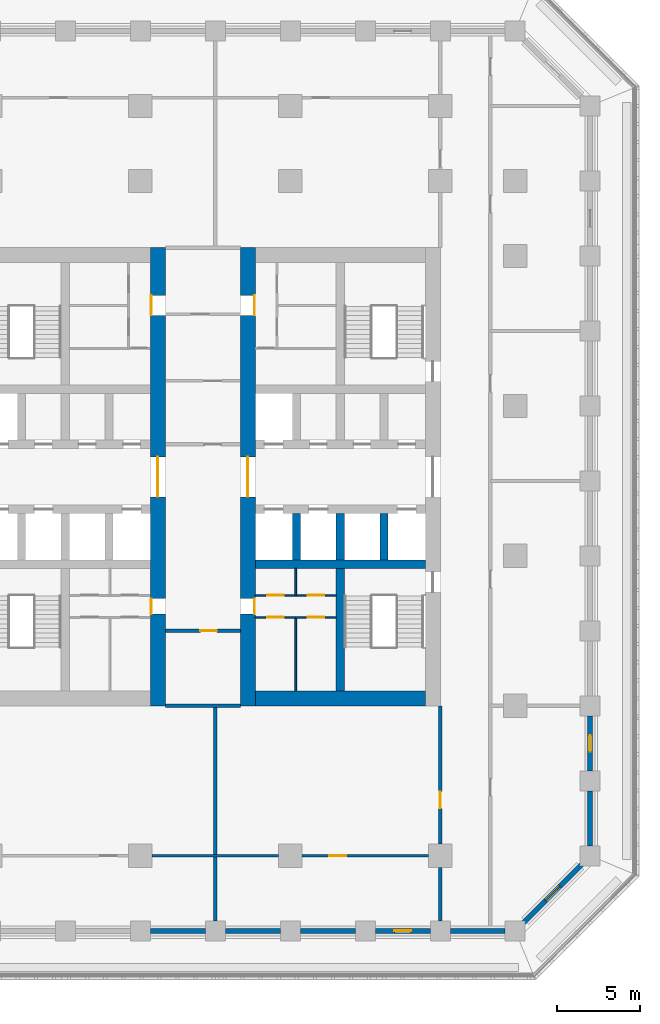
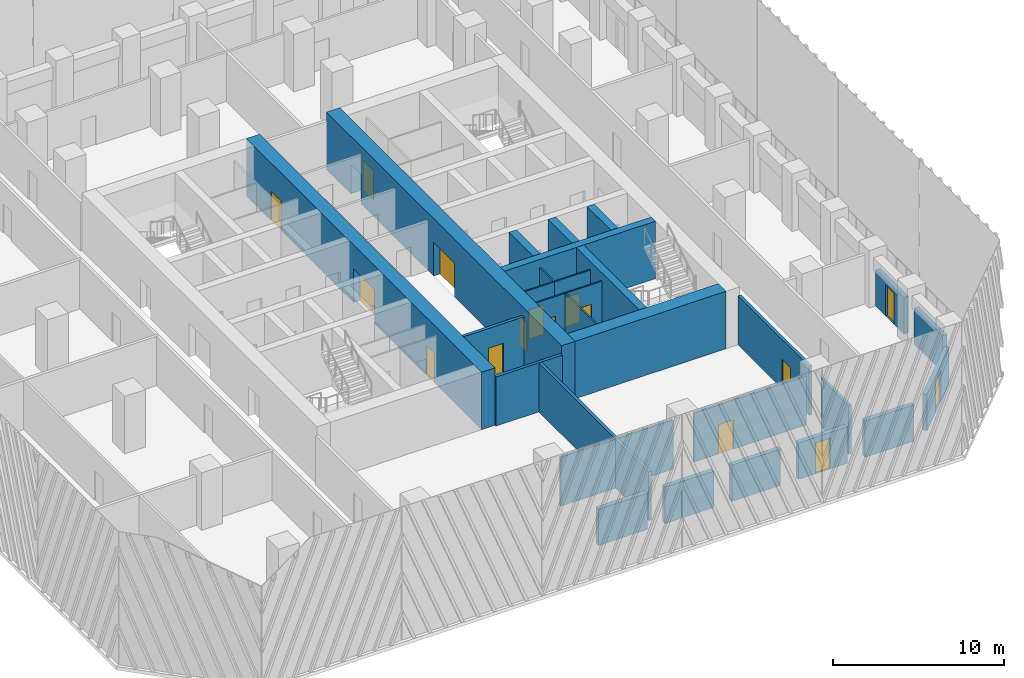
# One storey, part 4 of 17: 29 walls, 16 doors, 16 openings.
"""IFC4 building model written with IfcOpenShell, lengths in metres."""

from ifc_helpers import new_model, si_unit, direction, frame, frame_2d, origin, place, context, subcontext, project, spatial, rectangle, extrude, material, layer, layer_set, type_object, element, fill, save


model = new_model("IFC4")

# Units and contexts
model_context = context("Model", 3, precision=1e-05, world=origin(), true_north=direction((0.0, 1.0)))
body_context = subcontext(model_context, "Body", "Model", "MODEL_VIEW")
ifc_project = project(units=[si_unit("LENGTHUNIT", "METRE"), si_unit("AREAUNIT", "SQUARE_METRE"), si_unit("VOLUMEUNIT", "CUBIC_METRE"), si_unit("PLANEANGLEUNIT", "RADIAN"), si_unit("MASSUNIT", "GRAM", prefix="KILO")], contexts=[model_context])

# Site, building, storey
site_placement = place(None, origin())
site = spatial("IfcSite", under=ifc_project, at=site_placement, CompositionType="ELEMENT")
building_placement = place(site_placement, origin())
building = spatial("IfcBuilding", under=site, at=building_placement, Name="Corbel Stack Research Tower", CompositionType="ELEMENT")
storey_placement = place(building_placement, frame((0.0, 0.0, 141.300048828125)))
storey = spatial("IfcBuildingStorey", under=building, at=storey_placement, Name="L32", CompositionType="ELEMENT", Elevation=141.300048828125)

# Walls
ifc_material_1 = material(Name="Concrete C70/85", Category="concrete")
ifc_layer_1 = layer(ifc_material_1, 0.5)
ifc_layer_set_1 = layer_set([ifc_layer_1], Name="Concrete C70/85")
wall_type_1 = type_object("IfcWallType", Name="CW-500-70", PredefinedType="SHEAR", material=ifc_layer_set_1)
wall_1_placement = place(storey_placement, frame((6.89990234375, -0.5, 0.0), z_axis=(0.0, 0.0, 1.0), x_axis=(1.0, 0.0, 0.0)))
element("IfcWall", 1, at=wall_1_placement, inside=storey, type_object=wall_type_1, Name="East core wall, south row back L32", PredefinedType="SHEAR", context=body_context, shape_type="SweptSolid", body=[
    extrude(rectangle(XDim=10.2001953125, YDim=0.5, at=frame_2d((5.10009765625, 0.0))), origin(), (0.0, 0.0, 1.0), 4.099853515625),
])
for number, where, z_axis, x_axis, name in (
    (2, (9.375, -0.25, 0.0), (0.0, 0.0, 1.0), (0.0, 1.0, 0.0), "East core wall, south shaft 1 L32"),
    (3, (12.0, -0.25, 0.0), (0.0, 0.0, 1.0), (0.0, 1.0, 0.0), "East core wall, south shaft 2 L32"),
    (4, (14.625, -0.25, 0.0), (0.0, 0.0, 1.0), (0.0, 1.0, 0.0), "East core wall, south shaft 3 L32"),
):
    element("IfcWall", number, at=place(storey_placement, frame(where, z_axis=z_axis, x_axis=x_axis)), inside=storey, type_object=wall_type_1, Name=name, PredefinedType="SHEAR", context=body_context, shape_type="SweptSolid", body=[
        extrude(rectangle(XDim=2.800048828125, YDim=0.5, at=frame_2d((1.39990234375, 0.0))), origin(), (0.0, 0.0, 1.0), 4.099853515625),
    ])
wall_2_placement = place(storey_placement, frame((12.0, -8.10009765625, 0.0), z_axis=(0.0, 0.0, 1.0), x_axis=(0.0, 1.0, 0.0)))
element("IfcWall", 5, at=wall_2_placement, inside=storey, type_object=wall_type_1, Name="East core wall, south stair and WC L32", PredefinedType="SHEAR", context=body_context, shape_type="SweptSolid", body=[
    extrude(rectangle(XDim=7.35009765625, YDim=0.5, at=frame_2d((3.675048828125, 0.0))), origin(), (0.0, 0.0, 1.0), 4.099853515625),
])

# Wall, openings, doors
ifc_material_2 = material(Name="Concrete C70/85", Category="concrete")
ifc_layer_2 = layer(ifc_material_2, 0.89990234375)
ifc_layer_set_2 = layer_set([ifc_layer_2], Name="Concrete C70/85")
wall_type_2 = type_object("IfcWallType", Name="CW-900-70", PredefinedType="SHEAR", material=ifc_layer_set_2)
wall_3_placement = place(storey_placement, frame((1.050048828125, -9.0, 0.0), z_axis=(0.0, 0.0, 1.0), x_axis=(0.0, 1.0, 0.0)))
wall_3 = element("IfcWall", 6, at=wall_3_placement, inside=storey, type_object=wall_type_2, Name="West core wall, east face L32", PredefinedType="SHEAR", context=body_context, shape_type="SweptSolid", body=[
    extrude(rectangle(XDim=27.5, YDim=0.89990234375, at=frame_2d((13.75, 0.0))), origin(), (0.0, 0.0, 1.0), 4.099853515625),
])
opening_1_placement = place(wall_3_placement, frame((12.550048828125, 0.0, 0.0)))
opening_1 = element("IfcOpeningElement", 7, at=opening_1_placement, cuts=wall_3, Name="Opening CD-W-E", PredefinedType="OPENING", context=body_context, shape_type="SweptSolid", body=[
    extrude(rectangle(XDim=2.39990234375, YDim=2.39990234375, at=frame_2d((1.199951171875, 1.199951171875))), frame((0.0, 0.4599609375, 0.0), z_axis=(0.0, -1.0, 0.0), x_axis=(1.0, 0.0, 0.0)), (0.0, 0.0, 1.0), 0.919921875),
])
opening_2_placement = place(wall_3_placement, frame((5.510009765625, 0.0, 0.0)))
opening_2 = element("IfcOpeningElement", 8, at=opening_2_placement, cuts=wall_3, Name="Opening CR-W54-W1-923", PredefinedType="OPENING", context=body_context, shape_type="SweptSolid", body=[
    extrude(rectangle(XDim=0.923095703125, YDim=2.10009765625, at=frame_2d((0.46142578125, 1.050048828125))), frame((0.0, 0.4599609375, 0.0), z_axis=(0.0, -1.0, 0.0), x_axis=(1.0, 0.0, 0.0)), (0.0, 0.0, 1.0), 0.919921875),
])
opening_3_placement = place(wall_3_placement, frame((23.427490234375, 0.0, 0.0)))
opening_3 = element("IfcOpeningElement", 9, at=opening_3_placement, cuts=wall_3, Name="Opening CR-W54-R2-1200", PredefinedType="OPENING", context=body_context, shape_type="SweptSolid", body=[
    extrude(rectangle(XDim=1.199951171875, YDim=2.10009765625, at=frame_2d((0.60009765625, 1.050048828125))), frame((0.0, 0.4599609375, 0.0), z_axis=(0.0, -1.0, 0.0), x_axis=(1.0, 0.0, 0.0)), (0.0, 0.0, 1.0), 0.919921875),
])
ifc_material_3 = material(Name="Painted steel fire door", Category="steel")
door_type_1 = type_object("IfcDoorType", Name="Lobby door pair 2400 x 2400 FD30S", OperationType="DOUBLE_DOOR_DOUBLE_SWING", PredefinedType="DOOR", material=ifc_material_3)
door_1_placement = place(opening_1_placement, origin())
door_1 = element("IfcDoor", 10, at=door_1_placement, inside=storey, type_object=door_type_1, Name="Lift lobby door W core E", OperationType="DOUBLE_DOOR_DOUBLE_SWING", OverallHeight=2.39990234375, OverallWidth=2.39990234375, PredefinedType="DOOR", context=body_context, shape_type="SweptSolid", body=[
    extrude(rectangle(XDim=2.39990234375, YDim=2.39990234375, at=frame_2d((1.199951171875, 1.199951171875))), frame((0.0, 0.02490234375, 0.0), z_axis=(0.0, -1.0, 0.0), x_axis=(1.0, 0.0, 0.0)), (0.0, 0.0, 1.0), 0.050048828125),
])
fill(opening_1, door_1)
ifc_material_4 = material(Name="Painted steel door", Category="steel")
door_type_2 = type_object("IfcDoorType", Name="Service door 1200 x 2100 FD30 right hand", OperationType="SINGLE_SWING_RIGHT", PredefinedType="DOOR", material=ifc_material_4)
door_2_placement = place(opening_3_placement, origin())
door_2 = element("IfcDoor", 11, at=door_2_placement, inside=storey, type_object=door_type_2, Name="Service passage door W core", OperationType="SINGLE_SWING_RIGHT", OverallHeight=2.10009765625, OverallWidth=1.199951171875, PredefinedType="DOOR", context=body_context, shape_type="SweptSolid", body=[
    extrude(rectangle(XDim=1.199951171875, YDim=2.10009765625, at=frame_2d((0.60009765625, 1.050048828125))), frame((0.0, 0.4248046875, 0.0), z_axis=(0.0, -1.0, 0.0), x_axis=(1.0, 0.0, 0.0)), (0.0, 0.0, 1.0), 0.050048828125),
])
fill(opening_3, door_2)
ifc_material_5 = material(Name="Painted timber door", Category="wood")
door_type_3 = type_object("IfcDoorType", Name="WC door 923 x 2100 left hand", OperationType="SINGLE_SWING_LEFT", PredefinedType="DOOR", material=ifc_material_5)
door_3_placement = place(opening_2_placement, origin())
door_3 = element("IfcDoor", 12, at=door_3_placement, inside=storey, type_object=door_type_3, Name="WC lobby door W core", OperationType="SINGLE_SWING_LEFT", OverallHeight=2.10009765625, OverallWidth=0.923095703125, PredefinedType="DOOR", context=body_context, shape_type="SweptSolid", body=[
    extrude(rectangle(XDim=0.923095703125, YDim=2.10009765625, at=frame_2d((0.46142578125, 1.050048828125))), frame((0.0, 0.4248046875, 0.0), z_axis=(0.0, -1.0, 0.0), x_axis=(1.0, 0.0, 0.0)), (0.0, 0.0, 1.0), 0.050048828125),
])
fill(opening_2, door_3)

wall_4_placement = place(storey_placement, frame((6.449951171875, -9.0, 0.0), z_axis=(0.0, 0.0, 1.0), x_axis=(0.0, 1.0, 0.0)))
wall_4 = element("IfcWall", 13, at=wall_4_placement, inside=storey, type_object=wall_type_2, Name="East core wall, west face L32", PredefinedType="SHEAR", context=body_context, shape_type="SweptSolid", body=[
    extrude(rectangle(XDim=27.5, YDim=0.89990234375, at=frame_2d((13.75, 0.0))), origin(), (0.0, 0.0, 1.0), 4.099853515625),
])
opening_4_placement = place(wall_4_placement, frame((12.550048828125, 0.0, 0.0)))
opening_4 = element("IfcOpeningElement", 14, at=opening_4_placement, cuts=wall_4, Name="Opening CD-E-W", PredefinedType="OPENING", context=body_context, shape_type="SweptSolid", body=[
    extrude(rectangle(XDim=2.39990234375, YDim=2.39990234375, at=frame_2d((1.199951171875, 1.199951171875))), frame((0.0, 0.4599609375, 0.0), z_axis=(0.0, -1.0, 0.0), x_axis=(1.0, 0.0, 0.0)), (0.0, 0.0, 1.0), 0.919921875),
])
opening_5_placement = place(wall_4_placement, frame((5.510009765625, 0.0, 0.0)))
opening_5 = element("IfcOpeningElement", 15, at=opening_5_placement, cuts=wall_4, Name="Opening CR-E54-W1-923", PredefinedType="OPENING", context=body_context, shape_type="SweptSolid", body=[
    extrude(rectangle(XDim=0.923095703125, YDim=2.10009765625, at=frame_2d((0.46142578125, 1.050048828125))), frame((0.0, 0.4599609375, 0.0), z_axis=(0.0, -1.0, 0.0), x_axis=(1.0, 0.0, 0.0)), (0.0, 0.0, 1.0), 0.919921875),
])
opening_6_placement = place(wall_4_placement, frame((23.427490234375, 0.0, 0.0)))
opening_6 = element("IfcOpeningElement", 16, at=opening_6_placement, cuts=wall_4, Name="Opening CR-E54-R2-1200", PredefinedType="OPENING", context=body_context, shape_type="SweptSolid", body=[
    extrude(rectangle(XDim=1.199951171875, YDim=2.10009765625, at=frame_2d((0.60009765625, 1.050048828125))), frame((0.0, 0.4599609375, 0.0), z_axis=(0.0, -1.0, 0.0), x_axis=(1.0, 0.0, 0.0)), (0.0, 0.0, 1.0), 0.919921875),
])
door_4_placement = place(opening_4_placement, origin())
door_4 = element("IfcDoor", 17, at=door_4_placement, inside=storey, type_object=door_type_1, Name="Lift lobby door E core W", OperationType="DOUBLE_DOOR_DOUBLE_SWING", OverallHeight=2.39990234375, OverallWidth=2.39990234375, PredefinedType="DOOR", context=body_context, shape_type="SweptSolid", body=[
    extrude(rectangle(XDim=2.39990234375, YDim=2.39990234375, at=frame_2d((1.199951171875, 1.199951171875))), frame((0.0, 0.02490234375, 0.0), z_axis=(0.0, -1.0, 0.0), x_axis=(1.0, 0.0, 0.0)), (0.0, 0.0, 1.0), 0.050048828125),
])
fill(opening_4, door_4)
ifc_material_6 = material(Name="Painted steel door", Category="steel")
door_type_4 = type_object("IfcDoorType", Name="Service door 1200 x 2100 FD30 left hand", OperationType="SINGLE_SWING_LEFT", PredefinedType="DOOR", material=ifc_material_6)
door_5_placement = place(opening_6_placement, origin())
door_5 = element("IfcDoor", 18, at=door_5_placement, inside=storey, type_object=door_type_4, Name="Service passage door E core", OperationType="SINGLE_SWING_LEFT", OverallHeight=2.10009765625, OverallWidth=1.199951171875, PredefinedType="DOOR", context=body_context, shape_type="SweptSolid", body=[
    extrude(rectangle(XDim=1.199951171875, YDim=2.10009765625, at=frame_2d((0.60009765625, 1.050048828125))), frame((0.0, -0.375, 0.0), z_axis=(0.0, -1.0, 0.0), x_axis=(1.0, 0.0, 0.0)), (0.0, 0.0, 1.0), 0.050048828125),
])
fill(opening_6, door_5)
ifc_material_7 = material(Name="Painted timber door", Category="wood")
door_type_5 = type_object("IfcDoorType", Name="WC door 923 x 2100 right hand", OperationType="SINGLE_SWING_RIGHT", PredefinedType="DOOR", material=ifc_material_7)
door_6_placement = place(opening_5_placement, origin())
door_6 = element("IfcDoor", 19, at=door_6_placement, inside=storey, type_object=door_type_5, Name="WC lobby door E core", OperationType="SINGLE_SWING_RIGHT", OverallHeight=2.10009765625, OverallWidth=0.923095703125, PredefinedType="DOOR", context=body_context, shape_type="SweptSolid", body=[
    extrude(rectangle(XDim=0.923095703125, YDim=2.10009765625, at=frame_2d((0.46142578125, 1.050048828125))), frame((0.0, -0.375, 0.0), z_axis=(0.0, -1.0, 0.0), x_axis=(1.0, 0.0, 0.0)), (0.0, 0.0, 1.0), 0.050048828125),
])
fill(opening_5, door_6)

# Wall
wall_5_placement = place(storey_placement, frame((6.89990234375, -8.550048828125, 0.0), z_axis=(0.0, 0.0, 1.0), x_axis=(1.0, 0.0, 0.0)))
element("IfcWall", 20, at=wall_5_placement, inside=storey, type_object=wall_type_2, Name="East core wall, south end L32", PredefinedType="SHEAR", context=body_context, shape_type="SweptSolid", body=[
    extrude(rectangle(XDim=10.2001953125, YDim=0.89990234375, at=frame_2d((5.10009765625, 0.0))), origin(), (0.0, 0.0, 1.0), 4.099853515625),
])

# Wall, opening, door
ifc_material_8 = material(Name="Gypsum board")
ifc_layer_3 = layer(ifc_material_8, 0.10009765625)
ifc_layer_set_3 = layer_set([ifc_layer_3], Name="Gypsum board")
wall_type_3 = type_object("IfcWallType", Name="Core partition 100", PredefinedType="PARTITIONING", material=ifc_layer_set_3)
wall_6_placement = place(storey_placement, frame((6.89990234375, -3.68994140625, 0.0), z_axis=(0.0, 0.0, 1.0), x_axis=(1.0, 0.0, 0.0)))
wall_6 = element("IfcWall", 21, at=wall_6_placement, inside=storey, type_object=wall_type_3, Name="Core partition E", PredefinedType="PARTITIONING", context=body_context, shape_type="SweptSolid", body=[
    extrude(rectangle(XDim=2.425048828125, YDim=0.10009765625, at=frame_2d((1.21240234375, 0.0))), origin(), (0.0, 0.0, 1.0), 3.5),
])
opening_7_placement = place(wall_6_placement, frame((0.71240234375, 0.0, 0.0)))
opening_7 = element("IfcOpeningElement", 22, at=opening_7_placement, cuts=wall_6, Name="Opening CR-E54-W2-1000", PredefinedType="OPENING", context=body_context, shape_type="SweptSolid", body=[
    extrude(rectangle(XDim=1.0, YDim=2.10009765625, at=frame_2d((0.5, 1.050048828125))), frame((0.0, 0.06005859375, 0.0), z_axis=(0.0, -1.0, 0.0), x_axis=(1.0, 0.0, 0.0)), (0.0, 0.0, 1.0), 0.1201171875),
])
ifc_material_9 = material(Name="Painted timber door", Category="wood")
door_type_6 = type_object("IfcDoorType", Name="WC door 1000 x 2100 left hand", OperationType="SINGLE_SWING_LEFT", PredefinedType="DOOR", material=ifc_material_9)
door_7_placement = place(opening_7_placement, origin())
door_7 = element("IfcDoor", 23, at=door_7_placement, inside=storey, type_object=door_type_6, Name="Women's WC door E core", OperationType="SINGLE_SWING_LEFT", OverallHeight=2.10009765625, OverallWidth=1.0, PredefinedType="DOOR", context=body_context, shape_type="SweptSolid", body=[
    extrude(rectangle(XDim=1.0, YDim=2.10009765625, at=frame_2d((0.5, 1.050048828125))), frame((0.0, 0.02490234375, 0.0), z_axis=(0.0, -1.0, 0.0), x_axis=(1.0, 0.0, 0.0)), (0.0, 0.0, 1.0), 0.050048828125),
])
fill(opening_7, door_7)

wall_7_placement = place(storey_placement, frame((9.324951171875, -3.68994140625, 0.0), z_axis=(0.0, 0.0, 1.0), x_axis=(1.0, 0.0, 0.0)))
wall_7 = element("IfcWall", 24, at=wall_7_placement, inside=storey, type_object=wall_type_3, Name="Core partition E", PredefinedType="PARTITIONING", context=body_context, shape_type="SweptSolid", body=[
    extrude(rectangle(XDim=2.425048828125, YDim=0.10009765625, at=frame_2d((1.21240234375, 0.0))), origin(), (0.0, 0.0, 1.0), 3.5),
])
opening_8_placement = place(wall_7_placement, frame((0.71240234375, 0.0, 0.0)))
opening_8 = element("IfcOpeningElement", 25, at=opening_8_placement, cuts=wall_7, Name="Opening CR-E54-W3-1000", PredefinedType="OPENING", context=body_context, shape_type="SweptSolid", body=[
    extrude(rectangle(XDim=1.0, YDim=2.10009765625, at=frame_2d((0.5, 1.050048828125))), frame((0.0, 0.06005859375, 0.0), z_axis=(0.0, -1.0, 0.0), x_axis=(1.0, 0.0, 0.0)), (0.0, 0.0, 1.0), 0.1201171875),
])
ifc_material_10 = material(Name="Painted timber door", Category="wood")
door_type_7 = type_object("IfcDoorType", Name="WC door 1000 x 2100 right hand", OperationType="SINGLE_SWING_RIGHT", PredefinedType="DOOR", material=ifc_material_10)
door_8_placement = place(opening_8_placement, origin())
door_8 = element("IfcDoor", 26, at=door_8_placement, inside=storey, type_object=door_type_7, Name="Men's WC door E core", OperationType="SINGLE_SWING_RIGHT", OverallHeight=2.10009765625, OverallWidth=1.0, PredefinedType="DOOR", context=body_context, shape_type="SweptSolid", body=[
    extrude(rectangle(XDim=1.0, YDim=2.10009765625, at=frame_2d((0.5, 1.050048828125))), frame((0.0, 0.02490234375, 0.0), z_axis=(0.0, -1.0, 0.0), x_axis=(1.0, 0.0, 0.0)), (0.0, 0.0, 1.0), 0.050048828125),
])
fill(opening_8, door_8)

wall_8_placement = place(storey_placement, frame((6.89990234375, -2.366943359375, 0.0), z_axis=(0.0, 0.0, 1.0), x_axis=(1.0, 0.0, 0.0)))
wall_8 = element("IfcWall", 27, at=wall_8_placement, inside=storey, type_object=wall_type_3, Name="Core partition E", PredefinedType="PARTITIONING", context=body_context, shape_type="SweptSolid", body=[
    extrude(rectangle(XDim=2.425048828125, YDim=0.10009765625, at=frame_2d((1.21240234375, 0.0))), origin(), (0.0, 0.0, 1.0), 3.5),
])
opening_9_placement = place(wall_8_placement, frame((0.71240234375, 0.0, 0.0)))
opening_9 = element("IfcOpeningElement", 28, at=opening_9_placement, cuts=wall_8, Name="Opening CR-E54-W4-1000", PredefinedType="OPENING", context=body_context, shape_type="SweptSolid", body=[
    extrude(rectangle(XDim=1.0, YDim=2.10009765625, at=frame_2d((0.5, 1.050048828125))), frame((0.0, 0.06005859375, 0.0), z_axis=(0.0, -1.0, 0.0), x_axis=(1.0, 0.0, 0.0)), (0.0, 0.0, 1.0), 0.1201171875),
])
door_9_placement = place(opening_9_placement, origin())
door_9 = element("IfcDoor", 29, at=door_9_placement, inside=storey, type_object=door_type_6, Name="Accessible WC door E core", OperationType="SINGLE_SWING_LEFT", OverallHeight=2.10009765625, OverallWidth=1.0, PredefinedType="DOOR", context=body_context, shape_type="SweptSolid", body=[
    extrude(rectangle(XDim=1.0, YDim=2.10009765625, at=frame_2d((0.5, 1.050048828125))), frame((0.0, 0.02490234375, 0.0), z_axis=(0.0, -1.0, 0.0), x_axis=(1.0, 0.0, 0.0)), (0.0, 0.0, 1.0), 0.050048828125),
])
fill(opening_9, door_9)

wall_9_placement = place(storey_placement, frame((9.324951171875, -2.366943359375, 0.0), z_axis=(0.0, 0.0, 1.0), x_axis=(1.0, 0.0, 0.0)))
wall_9 = element("IfcWall", 30, at=wall_9_placement, inside=storey, type_object=wall_type_3, Name="Core partition E", PredefinedType="PARTITIONING", context=body_context, shape_type="SweptSolid", body=[
    extrude(rectangle(XDim=2.425048828125, YDim=0.10009765625, at=frame_2d((1.21240234375, 0.0))), origin(), (0.0, 0.0, 1.0), 3.5),
])
opening_10_placement = place(wall_9_placement, frame((0.71240234375, 0.0, 0.0)))
opening_10 = element("IfcOpeningElement", 31, at=opening_10_placement, cuts=wall_9, Name="Opening CR-E54-W5-1000", PredefinedType="OPENING", context=body_context, shape_type="SweptSolid", body=[
    extrude(rectangle(XDim=1.0, YDim=2.10009765625, at=frame_2d((0.5, 1.050048828125))), frame((0.0, 0.06005859375, 0.0), z_axis=(0.0, -1.0, 0.0), x_axis=(1.0, 0.0, 0.0)), (0.0, 0.0, 1.0), 0.1201171875),
])
door_10_placement = place(opening_10_placement, origin())
door_10 = element("IfcDoor", 32, at=door_10_placement, inside=storey, type_object=door_type_7, Name="Shower and changing room door E core", OperationType="SINGLE_SWING_RIGHT", OverallHeight=2.10009765625, OverallWidth=1.0, PredefinedType="DOOR", context=body_context, shape_type="SweptSolid", body=[
    extrude(rectangle(XDim=1.0, YDim=2.10009765625, at=frame_2d((0.5, 1.050048828125))), frame((0.0, 0.02490234375, 0.0), z_axis=(0.0, -1.0, 0.0), x_axis=(1.0, 0.0, 0.0)), (0.0, 0.0, 1.0), 0.050048828125),
])
fill(opening_10, door_10)

# Walls
wall_10_placement = place(storey_placement, frame((9.324951171875, -8.10009765625, 0.0), z_axis=(0.0, 0.0, 1.0), x_axis=(0.0, 1.0, 0.0)))
element("IfcWall", 33, at=wall_10_placement, inside=storey, type_object=wall_type_3, Name="Core partition E", PredefinedType="PARTITIONING", context=body_context, shape_type="SweptSolid", body=[
    extrude(rectangle(XDim=4.41015625, YDim=0.10009765625, at=frame_2d((2.205078125, 0.0))), origin(), (0.0, 0.0, 1.0), 3.5),
])
wall_11_placement = place(storey_placement, frame((9.324951171875, -2.366943359375, 0.0), z_axis=(0.0, 0.0, 1.0), x_axis=(0.0, 1.0, 0.0)))
element("IfcWall", 34, at=wall_11_placement, inside=storey, type_object=wall_type_3, Name="Core partition E", PredefinedType="PARTITIONING", context=body_context, shape_type="SweptSolid", body=[
    extrude(rectangle(XDim=1.616943359375, YDim=0.10009765625, at=frame_2d((0.80859375, 0.0))), origin(), (0.0, 0.0, 1.0), 3.5),
])
ifc_material_11 = material(Name="Fire-rated gypsum board partition on steel studs", Category="steel")
ifc_layer_4 = layer(ifc_material_11, 0.199951171875)
ifc_layer_set_4 = layer_set([ifc_layer_4], Name="Fire-rated gypsum board partition on steel studs")
wall_type_4 = type_object("IfcWallType", Name="Fire-rated partition 200 EI 60", PredefinedType="PARTITIONING", material=ifc_layer_set_4)
wall_12_placement = place(storey_placement, frame((4.5, -21.89990234375, 0.0), z_axis=(0.0, 0.0, 1.0), x_axis=(0.0, 1.0, 0.0)))
element("IfcWall", 35, at=wall_12_placement, inside=storey, type_object=wall_type_4, Name="Partition L32-005", PredefinedType="PARTITIONING", context=body_context, shape_type="SweptSolid", body=[
    extrude(rectangle(XDim=12.89990234375, YDim=0.199951171875, at=frame_2d((6.449951171875, 0.0))), origin(), (0.0, 0.0, 1.0), 3.5),
])
wall_13_placement = place(storey_placement, frame((18.0, -21.89990234375, 0.0), z_axis=(0.0, 0.0, 1.0), x_axis=(0.0, 1.0, 0.0)))
element("IfcWall", 36, at=wall_13_placement, inside=storey, type_object=wall_type_4, Name="Partition L32-007", PredefinedType="PARTITIONING", context=body_context, shape_type="SweptSolid", body=[
    extrude(rectangle(XDim=3.199951171875, YDim=0.199951171875, at=frame_2d((1.60009765625, 0.0))), origin(), (0.0, 0.0, 1.0), 3.5),
])

# Wall, opening, door
wall_14_placement = place(storey_placement, frame((18.0, -17.300048828125, 0.0), z_axis=(0.0, 0.0, 1.0), x_axis=(0.0, 1.0, 0.0)))
wall_14 = element("IfcWall", 37, at=wall_14_placement, inside=storey, type_object=wall_type_4, Name="Partition L32-008", PredefinedType="PARTITIONING", context=body_context, shape_type="SweptSolid", body=[
    extrude(rectangle(XDim=8.300048828125, YDim=0.199951171875, at=frame_2d((4.14990234375, 0.0))), origin(), (0.0, 0.0, 1.0), 3.5),
])
opening_11_placement = place(wall_14_placement, frame((2.14990234375, 0.0, 0.0)))
opening_11 = element("IfcOpeningElement", 38, at=opening_11_placement, cuts=wall_14, Name="Opening B4V2-019", PredefinedType="OPENING", context=body_context, shape_type="SweptSolid", body=[
    extrude(rectangle(XDim=1.0, YDim=2.10009765625, at=frame_2d((0.5, 1.050048828125))), frame((0.0, 0.10986328125, 0.0), z_axis=(0.0, -1.0, 0.0), x_axis=(1.0, 0.0, 0.0)), (0.0, 0.0, 1.0), 0.219970703125),
])
ifc_material_12 = material(Name="Painted steel fire door", Category="steel")
door_type_8 = type_object("IfcDoorType", Name="Fire door FD30S 1000 x 2100", OperationType="NOTDEFINED", PredefinedType="DOOR", material=ifc_material_12)
door_11_placement = place(opening_11_placement, origin())
door_11 = element("IfcDoor", 39, at=door_11_placement, inside=storey, type_object=door_type_8, Name="Door B4V2-019", OperationType="SINGLE_SWING_LEFT", OverallHeight=2.10009765625, OverallWidth=1.0, PredefinedType="DOOR", context=body_context, shape_type="SweptSolid", body=[
    extrude(rectangle(XDim=1.0, YDim=2.10009765625, at=frame_2d((0.5, 1.050048828125))), frame((0.0, 0.02490234375, 0.0), z_axis=(0.0, -1.0, 0.0), x_axis=(1.0, 0.0, 0.0)), (0.0, 0.0, 1.0), 0.050048828125),
])
fill(opening_11, door_11)

# Wall
wall_15_placement = place(storey_placement, frame((1.5, -9.0, 0.0), z_axis=(0.0, 0.0, 1.0), x_axis=(1.0, 0.0, 0.0)))
element("IfcWall", 40, at=wall_15_placement, inside=storey, type_object=wall_type_4, Name="Partition L32-019", PredefinedType="PARTITIONING", context=body_context, shape_type="SweptSolid", body=[
    extrude(rectangle(XDim=4.5, YDim=0.199951171875, at=frame_2d((2.25, 0.0))), origin(), (0.0, 0.0, 1.0), 3.5),
])

# Wall, opening, door
wall_16_placement = place(storey_placement, frame((6.0, -4.5, 0.0), z_axis=(0.0, 0.0, 1.0), x_axis=(-1.0, 0.0, 0.0)))
wall_16 = element("IfcWall", 41, at=wall_16_placement, inside=storey, type_object=wall_type_4, Name="Partition L32-022", PredefinedType="PARTITIONING", context=body_context, shape_type="SweptSolid", body=[
    extrude(rectangle(XDim=4.5, YDim=0.199951171875, at=frame_2d((2.25, 0.0))), origin(), (0.0, 0.0, 1.0), 3.5),
])
opening_12_placement = place(wall_16_placement, frame((1.39990234375, 0.0, 0.0)))
opening_12 = element("IfcOpeningElement", 42, at=opening_12_placement, cuts=wall_16, Name="Opening B4V2-015", PredefinedType="OPENING", context=body_context, shape_type="SweptSolid", body=[
    extrude(rectangle(XDim=1.0, YDim=2.10009765625, at=frame_2d((0.5, 1.050048828125))), frame((0.0, 0.10986328125, 0.0), z_axis=(0.0, -1.0, 0.0), x_axis=(1.0, 0.0, 0.0)), (0.0, 0.0, 1.0), 0.219970703125),
])
door_12_placement = place(opening_12_placement, origin())
door_12 = element("IfcDoor", 43, at=door_12_placement, inside=storey, type_object=door_type_8, Name="Door B4V2-015", OperationType="SINGLE_SWING_LEFT", OverallHeight=2.10009765625, OverallWidth=1.0, PredefinedType="DOOR", context=body_context, shape_type="SweptSolid", body=[
    extrude(rectangle(XDim=1.0, YDim=2.10009765625, at=frame_2d((0.5, 1.050048828125))), frame((0.0, 0.02490234375, 0.0), z_axis=(0.0, -1.0, 0.0), x_axis=(1.0, 0.0, 0.0)), (0.0, 0.0, 1.0), 0.050048828125),
])
fill(opening_12, door_12)

# Wall
ifc_material_13 = material(Name="Gypsum board partition on steel studs", Category="steel")
ifc_layer_5 = layer(ifc_material_13, 0.14990234375)
ifc_layer_set_5 = layer_set([ifc_layer_5], Name="Gypsum board partition on steel studs")
wall_type_5 = type_object("IfcWallType", Name="Partition 150", PredefinedType="PARTITIONING", material=ifc_layer_set_5)
wall_17_placement = place(storey_placement, frame((0.699951171875, -18.0, 0.0), z_axis=(0.0, 0.0, 1.0), x_axis=(1.0, 0.0, 0.0)))
element("IfcWall", 44, at=wall_17_placement, inside=storey, type_object=wall_type_5, Name="Partition L32-015", PredefinedType="PARTITIONING", context=body_context, shape_type="SweptSolid", body=[
    extrude(rectangle(XDim=7.60009765625, YDim=0.14990234375, at=frame_2d((3.800048828125, 0.0))), origin(), (0.0, 0.0, 1.0), 3.5),
])

# Wall, opening, door
wall_18_placement = place(storey_placement, frame((17.300048828125, -18.0, 0.0), z_axis=(0.0, 0.0, 1.0), x_axis=(-1.0, 0.0, 0.0)))
wall_18 = element("IfcWall", 45, at=wall_18_placement, inside=storey, type_object=wall_type_5, Name="Partition L32-016", PredefinedType="PARTITIONING", context=body_context, shape_type="SweptSolid", body=[
    extrude(rectangle(XDim=7.60009765625, YDim=0.14990234375, at=frame_2d((3.800048828125, 0.0))), origin(), (0.0, 0.0, 1.0), 3.5),
])
opening_13_placement = place(wall_18_placement, frame((4.949951171875, 0.0, 0.0)))
opening_13 = element("IfcOpeningElement", 46, at=opening_13_placement, cuts=wall_18, Name="Opening B4V2-007", PredefinedType="OPENING", context=body_context, shape_type="SweptSolid", body=[
    extrude(rectangle(XDim=1.0, YDim=2.10009765625, at=frame_2d((0.5, 1.050048828125))), frame((0.0, 0.0849609375, 0.0), z_axis=(0.0, -1.0, 0.0), x_axis=(1.0, 0.0, 0.0)), (0.0, 0.0, 1.0), 0.169921875),
])
ifc_material_14 = material(Name="Painted timber door", Category="wood")
door_type_9 = type_object("IfcDoorType", Name="Single door 1000 x 2100", OperationType="NOTDEFINED", PredefinedType="DOOR", material=ifc_material_14)
door_13_placement = place(opening_13_placement, origin())
door_13 = element("IfcDoor", 47, at=door_13_placement, inside=storey, type_object=door_type_9, Name="Door B4V2-007", OperationType="SINGLE_SWING_RIGHT", OverallHeight=2.10009765625, OverallWidth=1.0, PredefinedType="DOOR", context=body_context, shape_type="SweptSolid", body=[
    extrude(rectangle(XDim=1.0, YDim=2.10009765625, at=frame_2d((0.5, 1.050048828125))), frame((0.0, 0.02490234375, 0.0), z_axis=(0.0, -1.0, 0.0), x_axis=(1.0, 0.0, 0.0)), (0.0, 0.0, 1.0), 0.050048828125),
])
fill(opening_13, door_13)

# Walls
ifc_material_15 = material(Name="Concrete C45/55", Category="concrete")
ifc_layer_6 = layer(ifc_material_15, 0.300048828125)
ifc_layer_set_6 = layer_set([ifc_layer_6], Name="Concrete C45/55")
wall_type_6 = type_object("IfcWallType", Name="Terracotta-faced concrete wall 300", PredefinedType="SOLIDWALL", material=ifc_layer_set_6)
for number, where, z_axis, x_axis, name in (
    (48, (3.89990234375, -22.5, 0.0), (0.0, 0.0, 1.0), (-1.0, 0.0, 0.0), "Facade wall L32 S06"),
    (49, (8.39990234375, -22.5, 0.0), (0.0, 0.0, 1.0), (-1.0, 0.0, 0.0), "Facade wall L32 S07"),
    (50, (12.89990234375, -22.5, 0.0), (0.0, 0.0, 1.0), (-1.0, 0.0, 0.0), "Facade wall L32 S08"),
):
    element("IfcWall", number, at=place(storey_placement, frame(where, z_axis=z_axis, x_axis=x_axis)), inside=storey, type_object=wall_type_6, Name=name, PredefinedType="SOLIDWALL", context=body_context, shape_type="SweptSolid", body=[
        extrude(rectangle(XDim=3.2998046875, YDim=0.300048828125, at=frame_2d((1.64990234375, 0.0))), origin(), (0.0, 0.0, 1.0), 2.599853515625),
    ])

# Wall, opening, door
wall_19_placement = place(storey_placement, frame((17.39990234375, -22.5, 0.0), z_axis=(0.0, 0.0, 1.0), x_axis=(-1.0, 0.0, 0.0)))
wall_19 = element("IfcWall", 51, at=wall_19_placement, inside=storey, type_object=wall_type_6, Name="Facade wall L32 S09", PredefinedType="SOLIDWALL", context=body_context, shape_type="SweptSolid", body=[
    extrude(rectangle(XDim=3.2998046875, YDim=0.300048828125, at=frame_2d((1.64990234375, 0.0))), origin(), (0.0, 0.0, 1.0), 2.599853515625),
])
opening_14_placement = place(wall_19_placement, frame((1.14990234375, 0.0, 0.0)))
opening_14 = element("IfcOpeningElement", 52, at=opening_14_placement, cuts=wall_19, Name="Opening L32-B02", PredefinedType="OPENING", context=body_context, shape_type="SweptSolid", body=[
    extrude(rectangle(XDim=1.0, YDim=2.199951171875, at=frame_2d((0.5, 1.10009765625))), frame((0.0, 0.159912109375, 0.0), z_axis=(0.0, -1.0, 0.0), x_axis=(1.0, 0.0, 0.0)), (0.0, 0.0, 1.0), 0.320068359375),
])
ifc_material_16 = material(Name="Aluminium frame, clear double glazing", Category="aluminium")
door_type_10 = type_object("IfcDoorType", Name="Balcony door BD1 1000 x 2200", OperationType="NOTDEFINED", PredefinedType="DOOR", material=ifc_material_16)
door_14_placement = place(opening_14_placement, origin())
door_14 = element("IfcDoor", 53, at=door_14_placement, inside=storey, type_object=door_type_10, Name="Balcony door L32-B02", OperationType="SINGLE_SWING_LEFT", OverallHeight=2.199951171875, OverallWidth=1.0, PredefinedType="DOOR", context=body_context, shape_type="SweptSolid", body=[
    extrude(rectangle(XDim=1.0, YDim=2.199951171875, at=frame_2d((0.5, 1.10009765625))), frame((0.0, 0.02490234375, 0.0), z_axis=(0.0, -1.0, 0.0), x_axis=(1.0, 0.0, 0.0)), (0.0, 0.0, 1.0), 0.050048828125),
])
fill(opening_14, door_14)

# Wall
wall_20_placement = place(storey_placement, frame((21.89990234375, -22.5, 0.0), z_axis=(0.0, 0.0, 1.0), x_axis=(-1.0, 0.0, 0.0)))
element("IfcWall", 54, at=wall_20_placement, inside=storey, type_object=wall_type_6, Name="Facade wall L32 S10", PredefinedType="SOLIDWALL", context=body_context, shape_type="SweptSolid", body=[
    extrude(rectangle(XDim=3.2998046875, YDim=0.300048828125, at=frame_2d((1.64990234375, 0.0))), origin(), (0.0, 0.0, 1.0), 2.599853515625),
])

# Wall, opening, door
wall_21_placement = place(storey_placement, frame((26.506103515625, -18.493896484375, 0.0), z_axis=(0.0, 0.0, 1.0), x_axis=(-0.707106781187, -0.707106781187, 0.0)))
wall_21 = element("IfcWall", 55, at=wall_21_placement, inside=storey, type_object=wall_type_6, Name="Facade wall L32 SE01", PredefinedType="SOLIDWALL", context=body_context, shape_type="SweptSolid", body=[
    extrude(rectangle(XDim=4.967041015625, YDim=0.300048828125, at=frame_2d((2.4833984375, 0.0))), origin(), (0.0, 0.0, 1.0), 2.599853515625),
])
opening_15_placement = place(wall_21_placement, frame((1.883544921875, 0.0, 0.0)))
opening_15 = element("IfcOpeningElement", 56, at=opening_15_placement, cuts=wall_21, Name="Opening L32-B03", PredefinedType="OPENING", context=body_context, shape_type="SweptSolid", body=[
    extrude(rectangle(XDim=1.199951171875, YDim=2.199951171875, at=frame_2d((0.60009765625, 1.10009765625))), frame((0.0, 0.159912109375, 0.0), z_axis=(0.0, -1.0, 0.0), x_axis=(1.0, 0.0, 0.0)), (0.0, 0.0, 1.0), 0.320068359375),
])
ifc_material_17 = material(Name="Aluminium frame, clear double glazing", Category="aluminium")
door_type_11 = type_object("IfcDoorType", Name="Balcony door BD2 1200 x 2200", OperationType="NOTDEFINED", PredefinedType="DOOR", material=ifc_material_17)
door_15_placement = place(opening_15_placement, origin())
door_15 = element("IfcDoor", 57, at=door_15_placement, inside=storey, type_object=door_type_11, Name="Balcony door L32-B03", OperationType="SINGLE_SWING_LEFT", OverallHeight=2.199951171875, OverallWidth=1.199951171875, PredefinedType="DOOR", context=body_context, shape_type="SweptSolid", body=[
    extrude(rectangle(XDim=1.199951171875, YDim=2.199951171875, at=frame_2d((0.60009765625, 1.10009765625))), frame((0.0, 0.02490234375, 0.0), z_axis=(0.0, -1.0, 0.0), x_axis=(1.0, 0.0, 0.0)), (0.0, 0.0, 1.0), 0.050048828125),
])
fill(opening_15, door_15)

# Wall
wall_22_placement = place(storey_placement, frame((27.0, -14.10009765625, 0.0), z_axis=(0.0, 0.0, 1.0), x_axis=(0.0, -1.0, 0.0)))
element("IfcWall", 58, at=wall_22_placement, inside=storey, type_object=wall_type_6, Name="Facade wall L32 E01", PredefinedType="SOLIDWALL", context=body_context, shape_type="SweptSolid", body=[
    extrude(rectangle(XDim=3.2998046875, YDim=0.300048828125, at=frame_2d((1.64990234375, 0.0))), origin(), (0.0, 0.0, 1.0), 2.599853515625),
])

# Wall, opening, door
wall_23_placement = place(storey_placement, frame((27.0, -9.60009765625, 0.0), z_axis=(0.0, 0.0, 1.0), x_axis=(0.0, -1.0, 0.0)))
wall_23 = element("IfcWall", 59, at=wall_23_placement, inside=storey, type_object=wall_type_6, Name="Facade wall L32 E02", PredefinedType="SOLIDWALL", context=body_context, shape_type="SweptSolid", body=[
    extrude(rectangle(XDim=3.2998046875, YDim=0.300048828125, at=frame_2d((1.64990234375, 0.0))), origin(), (0.0, 0.0, 1.0), 2.599853515625),
])
opening_16_placement = place(wall_23_placement, frame((1.14990234375, 0.0, 0.0)))
opening_16 = element("IfcOpeningElement", 60, at=opening_16_placement, cuts=wall_23, Name="Opening L32-B04", PredefinedType="OPENING", context=body_context, shape_type="SweptSolid", body=[
    extrude(rectangle(XDim=1.0, YDim=2.199951171875, at=frame_2d((0.5, 1.10009765625))), frame((0.0, 0.159912109375, 0.0), z_axis=(0.0, -1.0, 0.0), x_axis=(1.0, 0.0, 0.0)), (0.0, 0.0, 1.0), 0.320068359375),
])
door_16_placement = place(opening_16_placement, origin())
door_16 = element("IfcDoor", 61, at=door_16_placement, inside=storey, type_object=door_type_10, Name="Balcony door L32-B04", OperationType="SINGLE_SWING_RIGHT", OverallHeight=2.199951171875, OverallWidth=1.0, PredefinedType="DOOR", context=body_context, shape_type="SweptSolid", body=[
    extrude(rectangle(XDim=1.0, YDim=2.199951171875, at=frame_2d((0.5, 1.10009765625))), frame((0.0, 0.02490234375, 0.0), z_axis=(0.0, -1.0, 0.0), x_axis=(1.0, 0.0, 0.0)), (0.0, 0.0, 1.0), 0.050048828125),
])
fill(opening_16, door_16)

save(model, "model.ifc")
